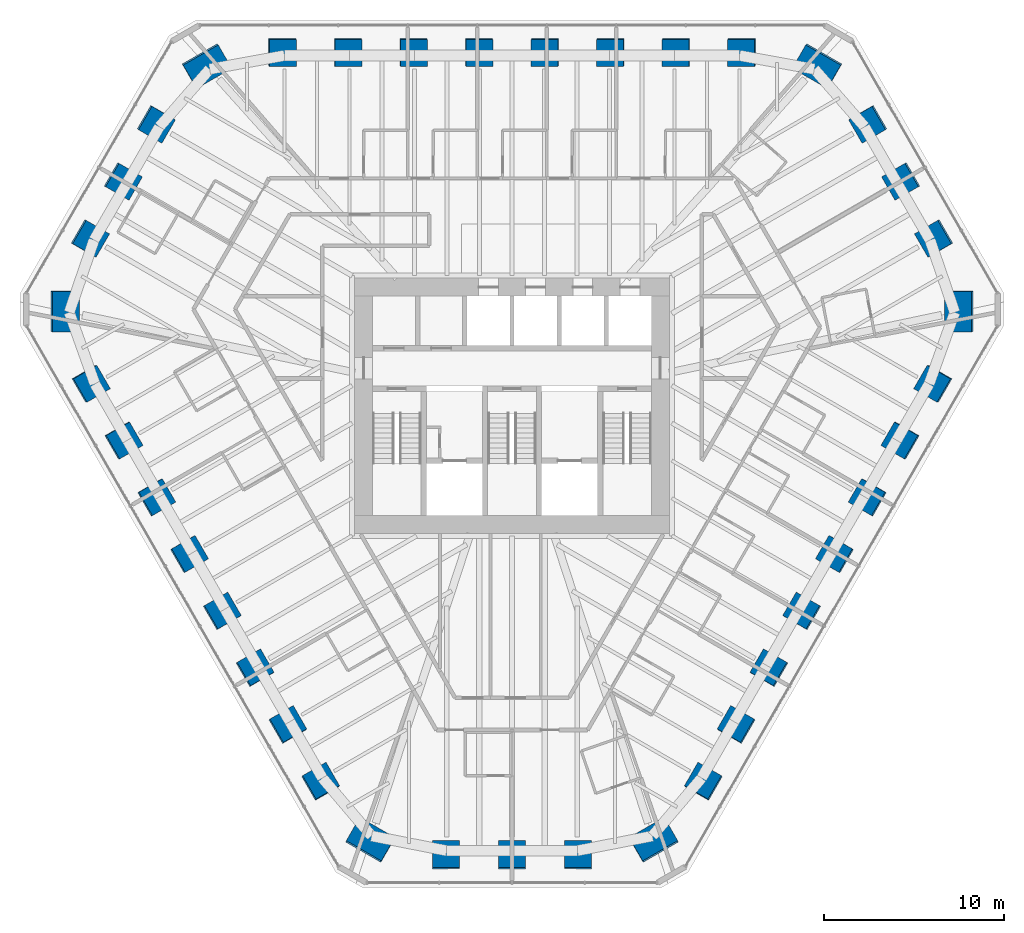
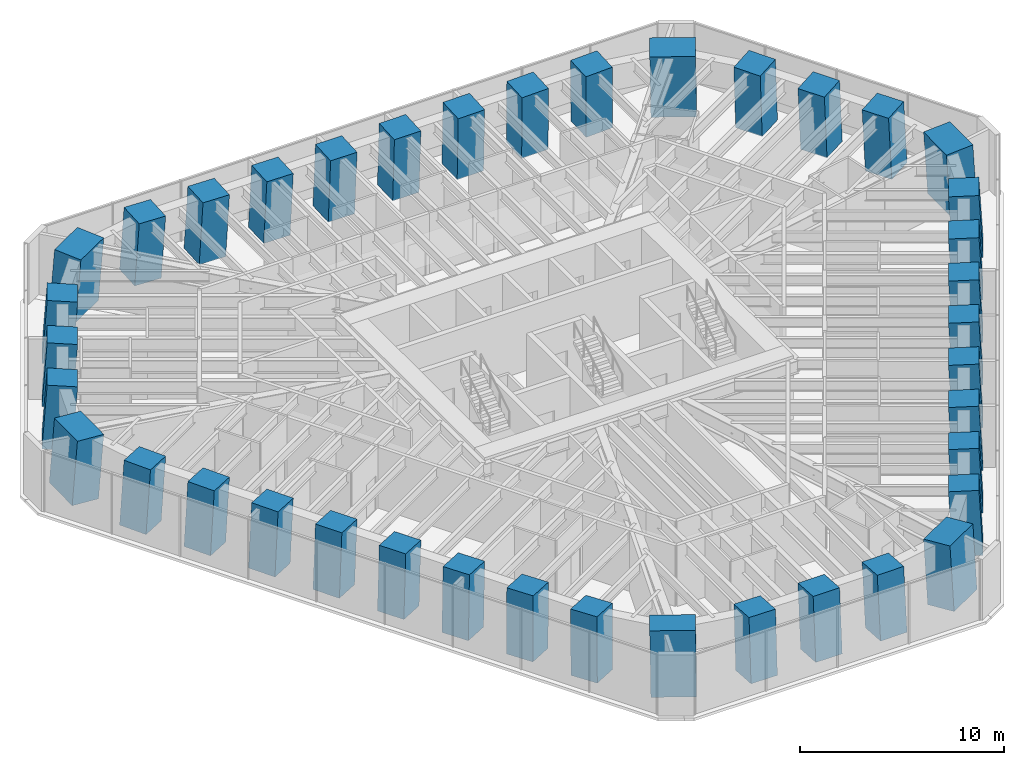
# One storey, part 1 of 17: 39 columns.
"""IFC4 building model written with IfcOpenShell, lengths in metres."""

from ifc_helpers import new_model, si_unit, direction, frame, origin, origin_2d, place, context, subcontext, project, spatial, rectangle, extrude, material, material_profile, profile_set, type_object, element, save


model = new_model("IFC4")

# Units and contexts
model_context = context("Model", 3, precision=1e-05, world=origin(), true_north=direction((0.0, 1.0)))
body_context = subcontext(model_context, "Body", "Model", "MODEL_VIEW")
ifc_project = project(units=[si_unit("LENGTHUNIT", "METRE"), si_unit("AREAUNIT", "SQUARE_METRE"), si_unit("VOLUMEUNIT", "CUBIC_METRE"), si_unit("PLANEANGLEUNIT", "RADIAN"), si_unit("MASSUNIT", "GRAM", prefix="KILO")], contexts=[model_context])

# Site, building, storey
site_placement = place(None, origin())
site = spatial("IfcSite", under=ifc_project, at=site_placement, CompositionType="ELEMENT")
building_placement = place(site_placement, origin())
building = spatial("IfcBuilding", under=site, at=building_placement, Name="Sandreach Pilgrim Tower", CompositionType="ELEMENT")
storey_placement = place(building_placement, frame((0.0, 0.0, 236.39990234375)))
storey = spatial("IfcBuildingStorey", under=building, at=storey_placement, Name="L59", CompositionType="ELEMENT", Elevation=236.39990234375)

# Columns
ifc_material_1 = material(Name="Concrete 10000 psi", Category="concrete")
ifc_material_profile_1 = material_profile(ifc_material_1, rectangle(XDim=1.5, YDim=1.5, at=origin_2d()), Name="RC1500X1500")
ifc_profile_set_1 = profile_set([ifc_material_profile_1], Name="Concrete 10000 psi")
column_type_1 = type_object("IfcColumnType", Name="Raked tube column RC1500X1500", PredefinedType="COLUMN", material=ifc_profile_set_1)
column_1_placement = place(storey_placement, frame((-12.786376953125, 19.688720703125, 0.0), z_axis=(0.035389114201, -0.054558217726, 0.997883265455), x_axis=(0.002483228096, 0.998510440286, 0.054504442196)))
element("IfcColumn", 1, at=column_1_placement, inside=storey, type_object=column_type_1, Name="COL L59 T01", PredefinedType="COLUMN", context=body_context, shape_type="SweptSolid", body=[
    extrude(rectangle(XDim=1.5, YDim=1.5, at=origin_2d()), origin(), (0.0, 0.0, 1.0), 3.80810546875),
])
column_2_placement = place(storey_placement, frame((-9.13330078125, 19.689208984375, 0.0), z_axis=(0.025267383954, -0.054574984125, 0.998189927026), x_axis=(0.002117158446, 0.998509404304, 0.054538859148)))
element("IfcColumn", 2, at=column_2_placement, inside=storey, type_object=column_type_1, Name="COL L59 T02", PredefinedType="COLUMN", context=body_context, shape_type="SweptSolid", body=[
    extrude(rectangle(XDim=1.5, YDim=1.5, at=origin_2d()), origin(), (0.0, 0.0, 1.0), 3.806884765625),
])
column_3_placement = place(storey_placement, frame((-5.480224609375, 19.689453125, 0.0), z_axis=(0.01520205904, -0.054522152676, 0.998396831059), x_axis=(0.000369242675, 0.998512455143, 0.05452284461)))
element("IfcColumn", 3, at=column_3_placement, inside=storey, type_object=column_type_1, Name="COL L59 T03", PredefinedType="COLUMN", context=body_context, shape_type="SweptSolid", body=[
    extrude(rectangle(XDim=1.5, YDim=1.5, at=origin_2d()), origin(), (0.0, 0.0, 1.0), 3.80615234375),
])
for number, where, z_axis, x_axis, name in (
    (4, (-1.82666015625, 19.68994140625, 0.0), (0.005067855835, -0.054591712859, 0.998495899703), (0.000221054868, 0.998508758979, 0.054591293964), "COL L59 T04"),
    (5, (1.82666015625, 19.68994140625, 0.0), (-0.005067855835, -0.054591712859, 0.998495899703), (-0.000221054868, 0.998508758979, 0.054591293964), "COL L59 T05"),
):
    element("IfcColumn", number, at=place(storey_placement, frame(where, z_axis=z_axis, x_axis=x_axis)), inside=storey, type_object=column_type_1, Name=name, PredefinedType="COLUMN", context=body_context, shape_type="SweptSolid", body=[
        extrude(rectangle(XDim=1.5, YDim=1.5, at=origin_2d()), origin(), (0.0, 0.0, 1.0), 3.8056640625),
    ])
column_4_placement = place(storey_placement, frame((5.480224609375, 19.689453125, 0.0), z_axis=(-0.01520205904, -0.054522152676, 0.998396831059), x_axis=(-0.000369242675, 0.998512455143, 0.05452284461)))
element("IfcColumn", 6, at=column_4_placement, inside=storey, type_object=column_type_1, Name="COL L59 T06", PredefinedType="COLUMN", context=body_context, shape_type="SweptSolid", body=[
    extrude(rectangle(XDim=1.5, YDim=1.5, at=origin_2d()), origin(), (0.0, 0.0, 1.0), 3.80615234375),
])
column_5_placement = place(storey_placement, frame((9.13330078125, 19.689208984375, 0.0), z_axis=(-0.025267383954, -0.054574984125, 0.998189927026), x_axis=(-0.002117158446, 0.998509404304, 0.054538859148)))
element("IfcColumn", 7, at=column_5_placement, inside=storey, type_object=column_type_1, Name="COL L59 T07", PredefinedType="COLUMN", context=body_context, shape_type="SweptSolid", body=[
    extrude(rectangle(XDim=1.5, YDim=1.5, at=origin_2d()), origin(), (0.0, 0.0, 1.0), 3.806884765625),
])
column_6_placement = place(storey_placement, frame((12.786376953125, 19.688720703125, 0.0), z_axis=(-0.035389114201, -0.054558217726, 0.997883265455), x_axis=(-0.002483228096, 0.998510440286, 0.054504442196)))
element("IfcColumn", 8, at=column_6_placement, inside=storey, type_object=column_type_1, Name="COL L59 T08", PredefinedType="COLUMN", context=body_context, shape_type="SweptSolid", body=[
    extrude(rectangle(XDim=1.5, YDim=1.5, at=origin_2d()), origin(), (0.0, 0.0, 1.0), 3.80810546875),
])
column_7_placement = place(storey_placement, frame((19.816162109375, 15.680419921875, 0.0), z_axis=(-0.054031272611, -0.04275072222, 0.997623675205), x_axis=(0.864377655023, 0.498201720113, 0.0681638876)))
element("IfcColumn", 9, at=column_7_placement, inside=storey, type_object=column_type_1, Name="COL L59 T10", PredefinedType="COLUMN", context=body_context, shape_type="SweptSolid", body=[
    extrude(rectangle(XDim=1.5, YDim=1.5, at=origin_2d()), origin(), (0.0, 0.0, 1.0), 3.80908203125),
])
column_8_placement = place(storey_placement, frame((21.65234375, 12.5009765625, 0.0), z_axis=(-0.05903355077, -0.034099727481, 0.997673417742), x_axis=(0.863904737752, 0.499019891948, 0.068174419916)))
element("IfcColumn", 10, at=column_8_placement, inside=storey, type_object=column_type_1, Name="COL L59 T11", PredefinedType="COLUMN", context=body_context, shape_type="SweptSolid", body=[
    extrude(rectangle(XDim=1.5, YDim=1.5, at=origin_2d()), origin(), (0.0, 0.0, 1.0), 3.808837890625),
])
column_9_placement = place(storey_placement, frame((23.48779296875, 9.321044921875, 0.0), z_axis=(-0.064029932807, -0.025445328653, 0.997623527667), x_axis=(0.863429873399, 0.499842225125, 0.068166001086)))
element("IfcColumn", 11, at=column_9_placement, inside=storey, type_object=column_type_1, Name="COL L59 T12", PredefinedType="COLUMN", context=body_context, shape_type="SweptSolid", body=[
    extrude(rectangle(XDim=1.5, YDim=1.5, at=origin_2d()), origin(), (0.0, 0.0, 1.0), 3.80908203125),
])
column_10_placement = place(storey_placement, frame((23.444091796875, 1.22900390625, 0.0), z_axis=(-0.064944143672, -0.003397867339, 0.997883115751), x_axis=(0.863717362202, -0.501020333053, 0.054506367508)))
element("IfcColumn", 12, at=column_10_placement, inside=storey, type_object=column_type_1, Name="COL L59 T14", PredefinedType="COLUMN", context=body_context, shape_type="SweptSolid", body=[
    extrude(rectangle(XDim=1.5, YDim=1.5, at=origin_2d()), origin(), (0.0, 0.0, 1.0), 3.80810546875),
])
column_11_placement = place(storey_placement, frame((21.617919921875, -1.934814453125, 0.0), z_axis=(-0.059897832312, 0.00532282664, 0.998190321132), x_axis=(0.864360515204, -0.499907051006, 0.054532926851)))
element("IfcColumn", 13, at=column_11_placement, inside=storey, type_object=column_type_1, Name="COL L59 T15", PredefinedType="COLUMN", context=body_context, shape_type="SweptSolid", body=[
    extrude(rectangle(XDim=1.5, YDim=1.5, at=origin_2d()), origin(), (0.0, 0.0, 1.0), 3.806884765625),
])
column_12_placement = place(storey_placement, frame((19.791748046875, -5.098876953125, 0.0), z_axis=(-0.054842785927, 0.01411159404, 0.998395278307), x_axis=(0.864468470186, -0.499718567325, 0.054549221126)))
element("IfcColumn", 14, at=column_12_placement, inside=storey, type_object=column_type_1, Name="COL L59 T16", PredefinedType="COLUMN", context=body_context, shape_type="SweptSolid", body=[
    extrude(rectangle(XDim=1.5, YDim=1.5, at=origin_2d()), origin(), (0.0, 0.0, 1.0), 3.80615234375),
])
for number, where, z_axis, x_axis, name in (
    (15, (17.96533203125, -8.262939453125, 0.0), (-0.049780541004, 0.022901614869, 0.998497578251), (0.864550428714, -0.499575489983, 0.054560846939), "COL L59 T17"),
    (16, (16.138671875, -11.427001953125, 0.0), (-0.044712656409, 0.031690175417, 0.998497126255), (0.864640740024, -0.499418271355, 0.05456904734), "COL L59 T18"),
):
    element("IfcColumn", number, at=place(storey_placement, frame(where, z_axis=z_axis, x_axis=x_axis)), inside=storey, type_object=column_type_1, Name=name, PredefinedType="COLUMN", context=body_context, shape_type="SweptSolid", body=[
        extrude(rectangle(XDim=1.5, YDim=1.5, at=origin_2d()), origin(), (0.0, 0.0, 1.0), 3.8056640625),
    ])
column_13_placement = place(storey_placement, frame((14.3115234375, -14.5908203125, 0.0), z_axis=(-0.039640696707, 0.040474562496, 0.998393922736), x_axis=(0.864775130598, -0.499185180443, 0.054572237685)))
element("IfcColumn", 17, at=column_13_placement, inside=storey, type_object=column_type_1, Name="COL L59 T19", PredefinedType="COLUMN", context=body_context, shape_type="SweptSolid", body=[
    extrude(rectangle(XDim=1.5, YDim=1.5, at=origin_2d()), origin(), (0.0, 0.0, 1.0), 3.80615234375),
])
column_14_placement = place(storey_placement, frame((12.484619140625, -17.75439453125, 0.0), z_axis=(-0.034566229752, 0.049252067624, 0.99818806324), x_axis=(0.864970296703, -0.498847510456, 0.054566905105)))
element("IfcColumn", 18, at=column_14_placement, inside=storey, type_object=column_type_1, Name="COL L59 T20", PredefinedType="COLUMN", context=body_context, shape_type="SweptSolid", body=[
    extrude(rectangle(XDim=1.5, YDim=1.5, at=origin_2d()), origin(), (0.0, 0.0, 1.0), 3.806884765625),
])
column_15_placement = place(storey_placement, frame((10.65771484375, -20.917724609375, 0.0), z_axis=(-0.02955498868, 0.05795598648, 0.997881559242), x_axis=(0.865880688817, -0.49727005386, 0.054526381384)))
element("IfcColumn", 19, at=column_15_placement, inside=storey, type_object=column_type_1, Name="COL L59 T21", PredefinedType="COLUMN", context=body_context, shape_type="SweptSolid", body=[
    extrude(rectangle(XDim=1.5, YDim=1.5, at=origin_2d()), origin(), (0.0, 0.0, 1.0), 3.80810546875),
])
column_16_placement = place(storey_placement, frame((3.671630859375, -25.00146484375, 0.0), z_axis=(-0.009998694988, 0.068132133153, 0.997626201806), x_axis=(-0.000785320082, -0.997676301199, 0.068127683793)))
element("IfcColumn", 20, at=column_16_placement, inside=storey, type_object=column_type_1, Name="COL L59 T23", PredefinedType="COLUMN", context=body_context, shape_type="SweptSolid", body=[
    extrude(rectangle(XDim=1.5, YDim=1.5, at=origin_2d()), origin(), (0.0, 0.0, 1.0), 3.80908203125),
])
column_17_placement = place(storey_placement, frame((0.0, -25.001953125, 0.0), z_axis=(0.0, 0.068135539126, 0.997676073838), x_axis=(0.0, -0.997676073838, 0.068135539126)))
element("IfcColumn", 21, at=column_17_placement, inside=storey, type_object=column_type_1, Name="COL L59 T24", PredefinedType="COLUMN", context=body_context, shape_type="SweptSolid", body=[
    extrude(rectangle(XDim=1.5, YDim=1.5, at=origin_2d()), origin(), (0.0, 0.0, 1.0), 3.808837890625),
])
column_18_placement = place(storey_placement, frame((-3.671630859375, -25.00146484375, 0.0), z_axis=(0.009998694988, 0.068132133153, 0.997626201806), x_axis=(0.000785320082, -0.997676301199, 0.068127683793)))
element("IfcColumn", 22, at=column_18_placement, inside=storey, type_object=column_type_1, Name="COL L59 T25", PredefinedType="COLUMN", context=body_context, shape_type="SweptSolid", body=[
    extrude(rectangle(XDim=1.5, YDim=1.5, at=origin_2d()), origin(), (0.0, 0.0, 1.0), 3.80908203125),
])
column_19_placement = place(storey_placement, frame((-10.65771484375, -20.917724609375, 0.0), z_axis=(0.02955498868, 0.05795598648, 0.997881559242), x_axis=(-0.865880688817, -0.49727005386, 0.054526381384)))
element("IfcColumn", 23, at=column_19_placement, inside=storey, type_object=column_type_1, Name="COL L59 T27", PredefinedType="COLUMN", context=body_context, shape_type="SweptSolid", body=[
    extrude(rectangle(XDim=1.5, YDim=1.5, at=origin_2d()), origin(), (0.0, 0.0, 1.0), 3.80810546875),
])
column_20_placement = place(storey_placement, frame((-12.484619140625, -17.75439453125, 0.0), z_axis=(0.034566229752, 0.049252067624, 0.99818806324), x_axis=(-0.864970296703, -0.498847510456, 0.054566905105)))
element("IfcColumn", 24, at=column_20_placement, inside=storey, type_object=column_type_1, Name="COL L59 T28", PredefinedType="COLUMN", context=body_context, shape_type="SweptSolid", body=[
    extrude(rectangle(XDim=1.5, YDim=1.5, at=origin_2d()), origin(), (0.0, 0.0, 1.0), 3.806884765625),
])
column_21_placement = place(storey_placement, frame((-14.3115234375, -14.5908203125, 0.0), z_axis=(0.039640696707, 0.040474562496, 0.998393922736), x_axis=(-0.864775130598, -0.499185180443, 0.054572237685)))
element("IfcColumn", 25, at=column_21_placement, inside=storey, type_object=column_type_1, Name="COL L59 T29", PredefinedType="COLUMN", context=body_context, shape_type="SweptSolid", body=[
    extrude(rectangle(XDim=1.5, YDim=1.5, at=origin_2d()), origin(), (0.0, 0.0, 1.0), 3.80615234375),
])
for number, where, z_axis, x_axis, name in (
    (26, (-16.138671875, -11.427001953125, 0.0), (0.044712656409, 0.031690175417, 0.998497126255), (-0.864640740024, -0.499418271355, 0.05456904734), "COL L59 T30"),
    (27, (-17.96533203125, -8.262939453125, 0.0), (0.049780541004, 0.022901614869, 0.998497578251), (-0.864550428714, -0.499575489983, 0.054560846939), "COL L59 T31"),
):
    element("IfcColumn", number, at=place(storey_placement, frame(where, z_axis=z_axis, x_axis=x_axis)), inside=storey, type_object=column_type_1, Name=name, PredefinedType="COLUMN", context=body_context, shape_type="SweptSolid", body=[
        extrude(rectangle(XDim=1.5, YDim=1.5, at=origin_2d()), origin(), (0.0, 0.0, 1.0), 3.8056640625),
    ])
column_22_placement = place(storey_placement, frame((-19.791748046875, -5.098876953125, 0.0), z_axis=(0.054842785927, 0.01411159404, 0.998395278307), x_axis=(-0.864468470186, -0.499718567325, 0.054549221126)))
element("IfcColumn", 28, at=column_22_placement, inside=storey, type_object=column_type_1, Name="COL L59 T32", PredefinedType="COLUMN", context=body_context, shape_type="SweptSolid", body=[
    extrude(rectangle(XDim=1.5, YDim=1.5, at=origin_2d()), origin(), (0.0, 0.0, 1.0), 3.80615234375),
])
column_23_placement = place(storey_placement, frame((-21.617919921875, -1.934814453125, 0.0), z_axis=(0.059897832312, 0.00532282664, 0.998190321132), x_axis=(-0.864360515204, -0.499907051006, 0.054532926851)))
element("IfcColumn", 29, at=column_23_placement, inside=storey, type_object=column_type_1, Name="COL L59 T33", PredefinedType="COLUMN", context=body_context, shape_type="SweptSolid", body=[
    extrude(rectangle(XDim=1.5, YDim=1.5, at=origin_2d()), origin(), (0.0, 0.0, 1.0), 3.806884765625),
])
column_24_placement = place(storey_placement, frame((-23.444091796875, 1.22900390625, 0.0), z_axis=(0.064944143672, -0.003397867339, 0.997883115751), x_axis=(-0.863717362202, -0.501020333053, 0.054506367508)))
element("IfcColumn", 30, at=column_24_placement, inside=storey, type_object=column_type_1, Name="COL L59 T34", PredefinedType="COLUMN", context=body_context, shape_type="SweptSolid", body=[
    extrude(rectangle(XDim=1.5, YDim=1.5, at=origin_2d()), origin(), (0.0, 0.0, 1.0), 3.80810546875),
])
column_25_placement = place(storey_placement, frame((-23.48779296875, 9.321044921875, 0.0), z_axis=(0.064029932807, -0.025445328653, 0.997623527667), x_axis=(-0.863429873399, 0.499842225125, 0.068166001086)))
element("IfcColumn", 31, at=column_25_placement, inside=storey, type_object=column_type_1, Name="COL L59 T36", PredefinedType="COLUMN", context=body_context, shape_type="SweptSolid", body=[
    extrude(rectangle(XDim=1.5, YDim=1.5, at=origin_2d()), origin(), (0.0, 0.0, 1.0), 3.80908203125),
])
column_26_placement = place(storey_placement, frame((-21.65234375, 12.5009765625, 0.0), z_axis=(0.05903355077, -0.034099727481, 0.997673417742), x_axis=(-0.863904737752, 0.499019891948, 0.068174419916)))
element("IfcColumn", 32, at=column_26_placement, inside=storey, type_object=column_type_1, Name="COL L59 T37", PredefinedType="COLUMN", context=body_context, shape_type="SweptSolid", body=[
    extrude(rectangle(XDim=1.5, YDim=1.5, at=origin_2d()), origin(), (0.0, 0.0, 1.0), 3.808837890625),
])
column_27_placement = place(storey_placement, frame((-19.816162109375, 15.680419921875, 0.0), z_axis=(0.054031272611, -0.04275072222, 0.997623675205), x_axis=(-0.864377655023, 0.498201720113, 0.0681638876)))
element("IfcColumn", 33, at=column_27_placement, inside=storey, type_object=column_type_1, Name="COL L59 T38", PredefinedType="COLUMN", context=body_context, shape_type="SweptSolid", body=[
    extrude(rectangle(XDim=1.5, YDim=1.5, at=origin_2d()), origin(), (0.0, 0.0, 1.0), 3.80908203125),
])
ifc_material_2 = material(Name="Concrete 10000 psi", Category="concrete")
ifc_material_profile_2 = material_profile(ifc_material_2, rectangle(XDim=1.5, YDim=2.25, at=origin_2d()), Name="RC1500X2250")
ifc_profile_set_2 = profile_set([ifc_material_profile_2], Name="Concrete 10000 psi")
column_type_2 = type_object("IfcColumnType", Name="Raked tube corner pier RC1500X2250", PredefinedType="COLUMN", material=ifc_profile_set_2)
for number, where, z_axis, x_axis, name in (
    (34, (16.993896484375, 18.925537109375, 0.0), (-0.047486447242, -0.052869526282, 0.997471729183), (0.498019754644, 0.864374186846, 0.069524018139), "COL L59 T09"),
    (35, (24.886962890625, 5.25439453125, 0.0), (-0.069531443306, -0.014675300016, 0.997471811111), (0.99757975799, -0.001092604117, 0.069522893098), "COL L59 T13"),
    (36, (7.89306640625, -24.179931640625, 0.0), (-0.022045010904, 0.06754488806, 0.997472659069), (0.499636222159, -0.863441852085, 0.069511247833), "COL L59 T22"),
    (37, (-7.89306640625, -24.179931640625, 0.0), (0.022045010904, 0.06754488806, 0.997472659069), (-0.499636222159, -0.863441852085, 0.069511247833), "COL L59 T26"),
    (38, (-24.886962890625, 5.25439453125, 0.0), (0.069531443306, -0.014675300016, 0.997471811111), (-0.99757975799, -0.001092604117, 0.069522893098), "COL L59 T35"),
    (39, (-16.993896484375, 18.925537109375, 0.0), (0.047486447242, -0.052869526282, 0.997471729183), (-0.498019754644, 0.864374186846, 0.069524018139), "COL L59 T39"),
):
    element("IfcColumn", number, at=place(storey_placement, frame(where, z_axis=z_axis, x_axis=x_axis)), inside=storey, type_object=column_type_2, Name=name, PredefinedType="COLUMN", context=body_context, shape_type="SweptSolid", body=[
        extrude(rectangle(XDim=1.5, YDim=2.25, at=origin_2d()), origin(), (0.0, 0.0, 1.0), 3.8095703125),
    ])

save(model, "model.ifc")
